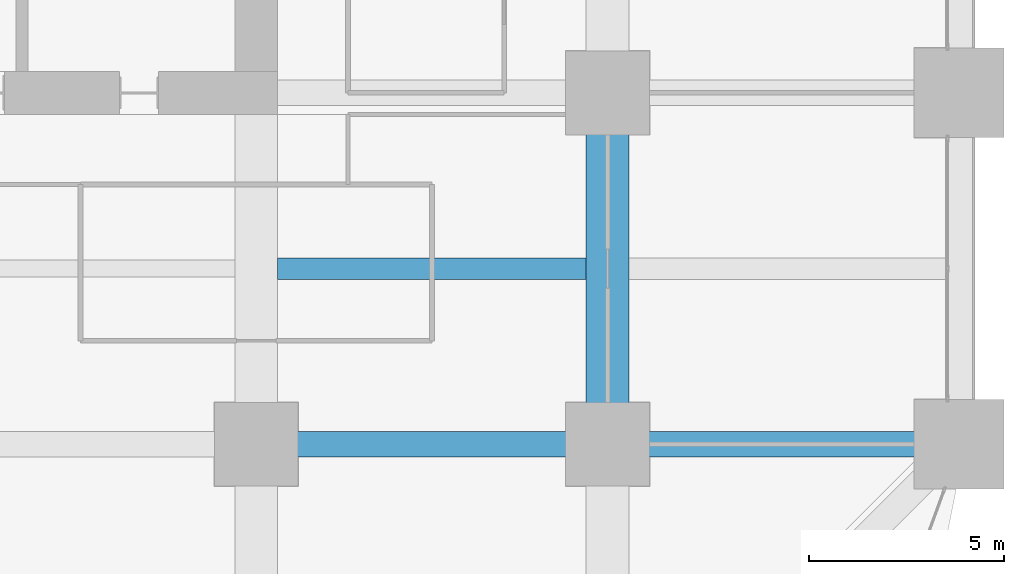
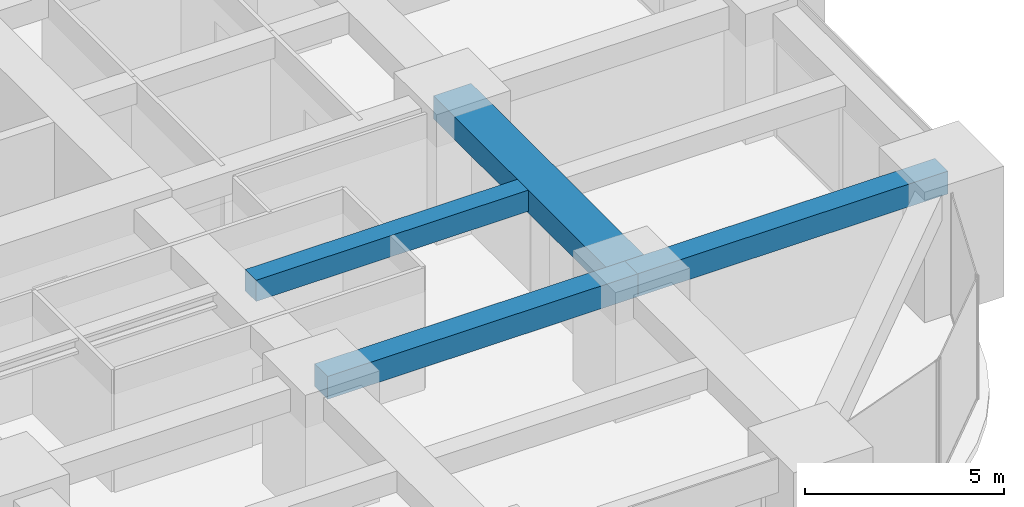
# One storey, part 17 of 44: 4 beams.
"""IFC4 building model written with IfcOpenShell, lengths in metres."""

from ifc_helpers import new_model, si_unit, direction, frame, origin, origin_2d, place, context, subcontext, project, spatial, rectangle, extrude, material, material_profile, profile_set, type_object, element, save


model = new_model("IFC4")

# Units and contexts
model_context = context("Model", 3, precision=1e-05, world=origin(), true_north=direction((0.0, 1.0)))
body_context = subcontext(model_context, "Body", "Model", "MODEL_VIEW")
ifc_project = project(units=[si_unit("LENGTHUNIT", "METRE"), si_unit("AREAUNIT", "SQUARE_METRE"), si_unit("VOLUMEUNIT", "CUBIC_METRE"), si_unit("PLANEANGLEUNIT", "RADIAN"), si_unit("MASSUNIT", "GRAM", prefix="KILO")], contexts=[model_context])

# Site, building, storey
site_placement = place(None, origin())
site = spatial("IfcSite", under=ifc_project, at=site_placement, CompositionType="ELEMENT")
building_placement = place(site_placement, origin())
building = spatial("IfcBuilding", under=site, at=building_placement, Name="Zorevar Civic Tower", CompositionType="ELEMENT")
storey_placement = place(building_placement, frame((0.0, 0.0, 59.800048828125)))
storey = spatial("IfcBuildingStorey", under=building, at=storey_placement, Name="L14", CompositionType="ELEMENT", Elevation=59.800048828125)

# Beams
ifc_material_1 = material(Name="Concrete C50/60", Category="concrete")
ifc_material_profile_1 = material_profile(ifc_material_1, rectangle(XDim=1.10009765625, YDim=0.699951171875, at=origin_2d()), Name="RC 1100x700")
ifc_profile_set_1 = profile_set([ifc_material_profile_1], Name="Concrete C50/60")
beam_type_1 = type_object("IfcBeamType", Name="Beam RC 1100x700", PredefinedType="BEAM", material=ifc_profile_set_1)
beam_1_placement = place(storey_placement, frame((54.0, 9.0, 3.39990234375), z_axis=(0.0, 1.0, 0.0), x_axis=(-1.0, 0.0, 0.0)))
element("IfcBeam", 1, at=beam_1_placement, inside=storey, type_object=beam_type_1, Name="Girder L15", PredefinedType="BEAM", context=body_context, shape_type="SweptSolid", body=[
    extrude(rectangle(XDim=1.10009765625, YDim=0.699951171875, at=origin_2d()), origin(), (0.0, 0.0, 1.0), 9.0),
])
ifc_material_2 = material(Name="Concrete C50/60", Category="concrete")
ifc_material_profile_2 = material_profile(ifc_material_2, rectangle(XDim=0.550048828125, YDim=0.64990234375, at=origin_2d()), Name="RC 550x650")
ifc_profile_set_2 = profile_set([ifc_material_profile_2], Name="Concrete C50/60")
beam_type_2 = type_object("IfcBeamType", Name="Beam RC 550x650", PredefinedType="BEAM", material=ifc_profile_set_2)
beam_2_placement = place(storey_placement, frame((45.550048828125, 13.5, 3.425048828125), z_axis=(1.0, 0.0, 0.0), x_axis=(0.0, 1.0, 0.0)))
element("IfcBeam", 2, at=beam_2_placement, inside=storey, type_object=beam_type_2, Name="Secondary beam L15", PredefinedType="BEAM", context=body_context, shape_type="SweptSolid", body=[
    extrude(rectangle(XDim=0.550048828125, YDim=0.64990234375, at=origin_2d()), origin(), (0.0, 0.0, 1.0), 7.89990234375),
])
ifc_material_3 = material(Name="Concrete C50/60", Category="concrete")
ifc_material_profile_3 = material_profile(ifc_material_3, rectangle(XDim=0.64990234375, YDim=0.699951171875, at=origin_2d()), Name="RC 650x700")
ifc_profile_set_3 = profile_set([ifc_material_profile_3], Name="Concrete C50/60")
beam_type_3 = type_object("IfcBeamType", Name="Beam RC 650x700", PredefinedType="BEAM", material=ifc_profile_set_3)
for number, where, z_axis, x_axis, name in (
    (3, (45.0, 9.0, 3.39990234375), (1.0, 0.0, 0.0), (0.0, 1.0, 0.0), "Girder L15"),
    (4, (54.0, 9.0, 3.39990234375), (1.0, 0.0, 0.0), (0.0, 1.0, 0.0), "Girder L15"),
):
    element("IfcBeam", number, at=place(storey_placement, frame(where, z_axis=z_axis, x_axis=x_axis)), inside=storey, type_object=beam_type_3, Name=name, PredefinedType="BEAM", context=body_context, shape_type="SweptSolid", body=[
        extrude(rectangle(XDim=0.64990234375, YDim=0.699951171875, at=origin_2d()), origin(), (0.0, 0.0, 1.0), 9.0),
    ])

save(model, "model.ifc")
